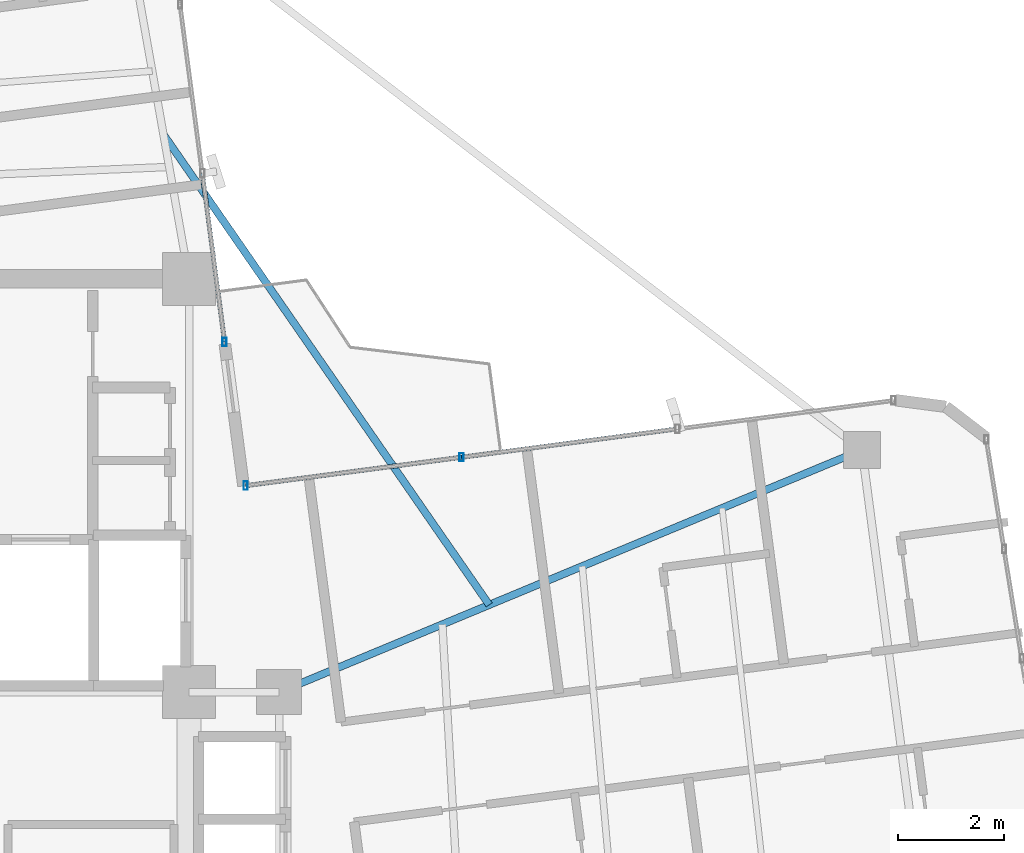
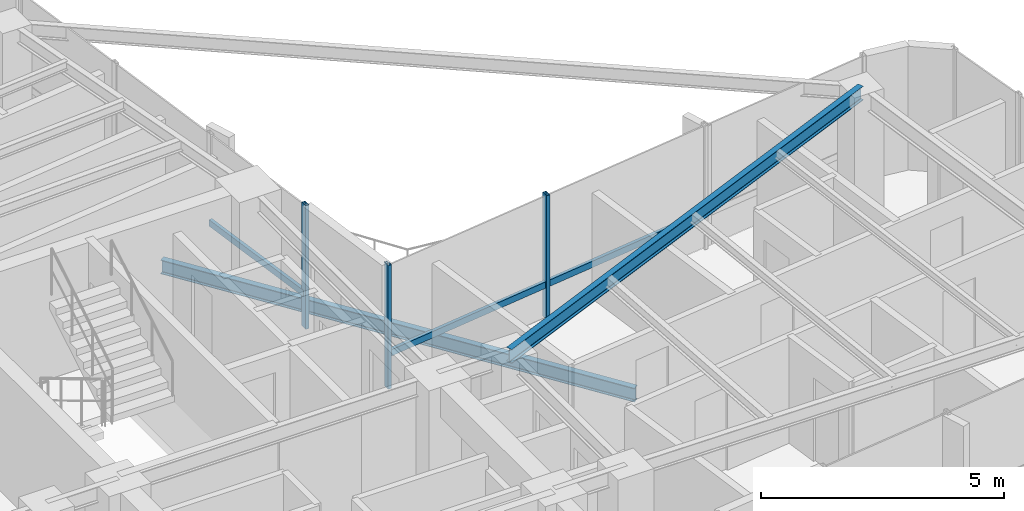
# One storey, part 11 of 23: 6 members, 2 beams, 2 elements without a shape of their own.
"""IFC4 building model written with IfcOpenShell, lengths in metres."""

from ifc_helpers import new_model, si_unit, direction, frame, origin, origin_2d, place, context, subcontext, project, spatial, hollow_rectangle, i_section, extrude, source, transform, mapped, material, material_profile, profile_set, type_object, element, aggregate, save


model = new_model("IFC4")

# Units and contexts
model_context = context("Model", 3, precision=1e-05, world=origin(), true_north=direction((0.0, 1.0)))
body_context = subcontext(model_context, "Body", "Model", "MODEL_VIEW")
ifc_project = project(units=[si_unit("LENGTHUNIT", "METRE"), si_unit("AREAUNIT", "SQUARE_METRE"), si_unit("VOLUMEUNIT", "CUBIC_METRE"), si_unit("PLANEANGLEUNIT", "RADIAN"), si_unit("MASSUNIT", "GRAM", prefix="KILO")], contexts=[model_context])

# Site, building, storey
site_placement = place(None, origin())
site = spatial("IfcSite", under=ifc_project, at=site_placement, CompositionType="ELEMENT")
building_placement = place(site_placement, origin())
building = spatial("IfcBuilding", under=site, at=building_placement, Name="Sahyath Konkavel Grand Hotel", CompositionType="ELEMENT")
storey_placement = place(building_placement, frame((0.0, 0.0, 251.199951171875)))
storey = spatial("IfcBuildingStorey", under=building, at=storey_placement, Name="L70", CompositionType="ELEMENT", Elevation=251.199951171875)

# Beam
ifc_material_1 = material(Name="Steel E350", Category="steel")
ifc_material_profile_1 = material_profile(ifc_material_1, i_section(OverallWidth=0.139892578125, OverallDepth=0.35009765625, WebThickness=0.008056640625, FlangeThickness=0.01416015625, FilletRadius=0.013916015625, at=origin_2d()), Name="ISMB 350")
ifc_profile_set_1 = profile_set([ifc_material_profile_1], Name="Steel E350")
beam_type_1 = type_object("IfcBeamType", Name="BM-ISMB350", PredefinedType="BEAM", material=ifc_profile_set_1)
shared_shape_1 = source(origin(), body_context, "Body", "SweptSolid", [
    extrude(i_section(OverallWidth=0.139892578125, OverallDepth=0.35009765625, WebThickness=0.008056640625, FlangeThickness=0.01416015625, FilletRadius=0.013916015625, at=origin_2d()), origin(), (0.0, 0.0, 1.0), 11.910400390625),
])
beam_1_placement = place(storey_placement, frame((5.5, 2.39990234375, 2.93505859375), z_axis=(0.923414359543, 0.383804534353, 0.0), x_axis=(-0.383804534353, 0.923414359543, 0.0)))
element("IfcBeam", 1, at=beam_1_placement, inside=storey, type_object=beam_type_1, Name="L70 Cruciform Radial Girder EB", PredefinedType="BEAM", context=body_context, shape_type="MappedRepresentation", body=[
    mapped(shared_shape_1, transform((0.0, 0.0, 0.0), scale=1.0)),
])

# Curtain wall, members
ifc_material_2 = material(Name="Anodised Bronze Aluminium & Low-E Glazing", Category="aluminium")
curtain_wall_type = type_object("IfcCurtainWallType", Name="CW-ZONE4", PredefinedType="NOTDEFINED", material=ifc_material_2)
curtain_wall_1_placement = place(storey_placement, origin())
curtain_wall_1 = element("IfcCurtainWall", 2, at=curtain_wall_1_placement, inside=storey, type_object=curtain_wall_type, Name="L70 Unitised Curtain Wall F7", PredefinedType="NOTDEFINED")
ifc_material_3 = material(Name="Anodised Bronze Aluminium", Category="aluminium")
ifc_material_profile_2 = material_profile(ifc_material_3, hollow_rectangle(XDim=0.080078125, YDim=0.159912109375, WallThickness=0.006103515625, at=origin_2d()), Name="RHS 160x80x6")
ifc_profile_set_2 = profile_set([ifc_material_profile_2], Name="Anodised Bronze Aluminium")
member_type_1 = type_object("IfcMemberType", Name="CW-MUL-160", PredefinedType="MULLION", material=ifc_profile_set_2)
shared_shape_2 = source(origin(), body_context, "Body", "SweptSolid", [
    extrude(hollow_rectangle(XDim=0.080078125, YDim=0.159912109375, WallThickness=0.006103515625, at=origin_2d()), origin(), (0.0, 0.0, 1.0), 3.110107421875),
])
member_1_placement = place(storey_placement, frame((8.942138671875, 6.83349609375, 0.0), z_axis=(0.0, 0.0, 1.0), x_axis=(1.0, 0.0, 0.0)))
member_1 = element("IfcMember", 3, at=member_1_placement, type_object=member_type_1, Name="L70 Curtain Wall Mullion F7-2", PredefinedType="MULLION", context=body_context, shape_type="MappedRepresentation", body=[
    mapped(shared_shape_2, transform((0.0, 0.0, 0.0), scale=1.0)),
])
member_2_placement = place(storey_placement, frame((4.86767578125, 6.297119140625, 0.0), z_axis=(0.0, 0.0, 1.0), x_axis=(1.0, 0.0, 0.0)))
member_2 = element("IfcMember", 4, at=member_2_placement, type_object=member_type_1, Name="L70 Curtain Wall Mullion F7-3", PredefinedType="MULLION", context=body_context, shape_type="MappedRepresentation", body=[
    mapped(shared_shape_2, transform((0.0, 0.0, 0.0), scale=1.0)),
])

curtain_wall_2_placement = place(storey_placement, origin())
curtain_wall_2 = element("IfcCurtainWall", 5, at=curtain_wall_2_placement, inside=storey, type_object=curtain_wall_type, Name="L70 Unitised Curtain Wall F8", PredefinedType="NOTDEFINED")
member_3_placement = place(storey_placement, frame((4.470458984375, 9.008544921875, 0.0), z_axis=(0.0, 0.0, 1.0), x_axis=(1.0, 0.0, 0.0)))
member_3 = element("IfcMember", 6, at=member_3_placement, type_object=member_type_1, Name="L70 Curtain Wall Mullion F8-0", PredefinedType="MULLION", context=body_context, shape_type="MappedRepresentation", body=[
    mapped(shared_shape_2, transform((0.0, 0.0, 0.0), scale=1.0)),
])
ifc_material_profile_3 = material_profile(ifc_material_3, hollow_rectangle(XDim=0.080078125, YDim=0.159912109375, WallThickness=0.006103515625, at=origin_2d()), Name="RHS 160x80x6")
ifc_profile_set_3 = profile_set([ifc_material_profile_3], Name="Anodised Bronze Aluminium")
member_type_2 = type_object("IfcMemberType", Name="CW-TRN-160", PredefinedType="USERDEFINED", material=ifc_profile_set_3)
shared_shape_3 = source(origin(), body_context, "Body", "SweptSolid", [
    extrude(hollow_rectangle(XDim=0.080078125, YDim=0.159912109375, WallThickness=0.006103515625, at=origin_2d()), origin(), (0.0, 0.0, 1.0), 3.209716796875),
])
member_4_placement = place(storey_placement, frame((4.470458984375, 9.008544921875, 0.85009765625), z_axis=(-0.130519440536, 0.991445750226, 0.0), x_axis=(-0.991445750226, -0.130519440536, 0.0)))
member_4 = element("IfcMember", 7, at=member_4_placement, type_object=member_type_2, Name="L70 Curtain Wall Transom F8-0-spandrel", ObjectType="TRANSOM", PredefinedType="USERDEFINED", context=body_context, shape_type="MappedRepresentation", body=[
    mapped(shared_shape_3, transform((0.0, 0.0, 0.0), scale=1.0)),
])
aggregate(curtain_wall_2, [member_3, member_4])

# Member
shared_shape_4 = source(origin(), body_context, "Body", "SweptSolid", [
    extrude(hollow_rectangle(XDim=0.080078125, YDim=0.159912109375, WallThickness=0.006103515625, at=origin_2d()), origin(), (0.0, 0.0, 1.0), 4.109619140625),
])
member_5_placement = place(storey_placement, frame((13.0166015625, 7.3701171875, 0.85009765625), z_axis=(-0.99143831422, -0.130575913156, 0.0), x_axis=(0.130575913156, -0.99143831422, 0.0)))
member_5 = element("IfcMember", 8, at=member_5_placement, type_object=member_type_2, Name="L70 Curtain Wall Transom F7-1-spandrel", ObjectType="TRANSOM", PredefinedType="USERDEFINED", context=body_context, shape_type="MappedRepresentation", body=[
    mapped(shared_shape_4, transform((0.0, 0.0, 0.0), scale=1.0)),
])

member_6_placement = place(storey_placement, frame((8.942138671875, 6.83349609375, 0.85009765625), z_axis=(-0.99144600323, -0.130517518671, 0.0), x_axis=(0.130517518671, -0.99144600323, 0.0)))
member_6 = element("IfcMember", 9, at=member_6_placement, type_object=member_type_2, Name="L70 Curtain Wall Transom F7-2-spandrel", ObjectType="TRANSOM", PredefinedType="USERDEFINED", context=body_context, shape_type="MappedRepresentation", body=[
    mapped(shared_shape_4, transform((0.0, 0.0, 0.0), scale=1.0)),
])

aggregate(curtain_wall_1, [member_1, member_2, member_5, member_6])

# Beam
ifc_material_profile_4 = material_profile(ifc_material_1, i_section(OverallWidth=0.139892578125, OverallDepth=0.35009765625, WebThickness=0.008056640625, FlangeThickness=0.01416015625, FilletRadius=0.013916015625, at=origin_2d()), Name="ISMB 350")
ifc_profile_set_4 = profile_set([ifc_material_profile_4], Name="Steel E350")
beam_type_2 = type_object("IfcBeamType", Name="BM-BALC-CANT", PredefinedType="BEAM", material=ifc_profile_set_4)
shared_shape_5 = source(origin(), body_context, "Body", "SweptSolid", [
    extrude(i_section(OverallWidth=0.139892578125, OverallDepth=0.35009765625, WebThickness=0.008056640625, FlangeThickness=0.01416015625, FilletRadius=0.013916015625, at=origin_2d()), origin(), (0.0, 0.0, 1.0), 10.791015625),
])
beam_2_placement = place(storey_placement, frame((9.4638671875, 4.048095703125, -0.4150390625), z_axis=(-0.569341735728, 0.822100959711, 0.0), x_axis=(-0.822100959711, -0.569341735728, 0.0)))
element("IfcBeam", 10, at=beam_2_placement, inside=storey, type_object=beam_type_2, Name="L70 Balcony Cantilever Support Beam NE", PredefinedType="BEAM", context=body_context, shape_type="MappedRepresentation", body=[
    mapped(shared_shape_5, transform((0.0, 0.0, 0.0), scale=1.0)),
])

save(model, "model.ifc")
